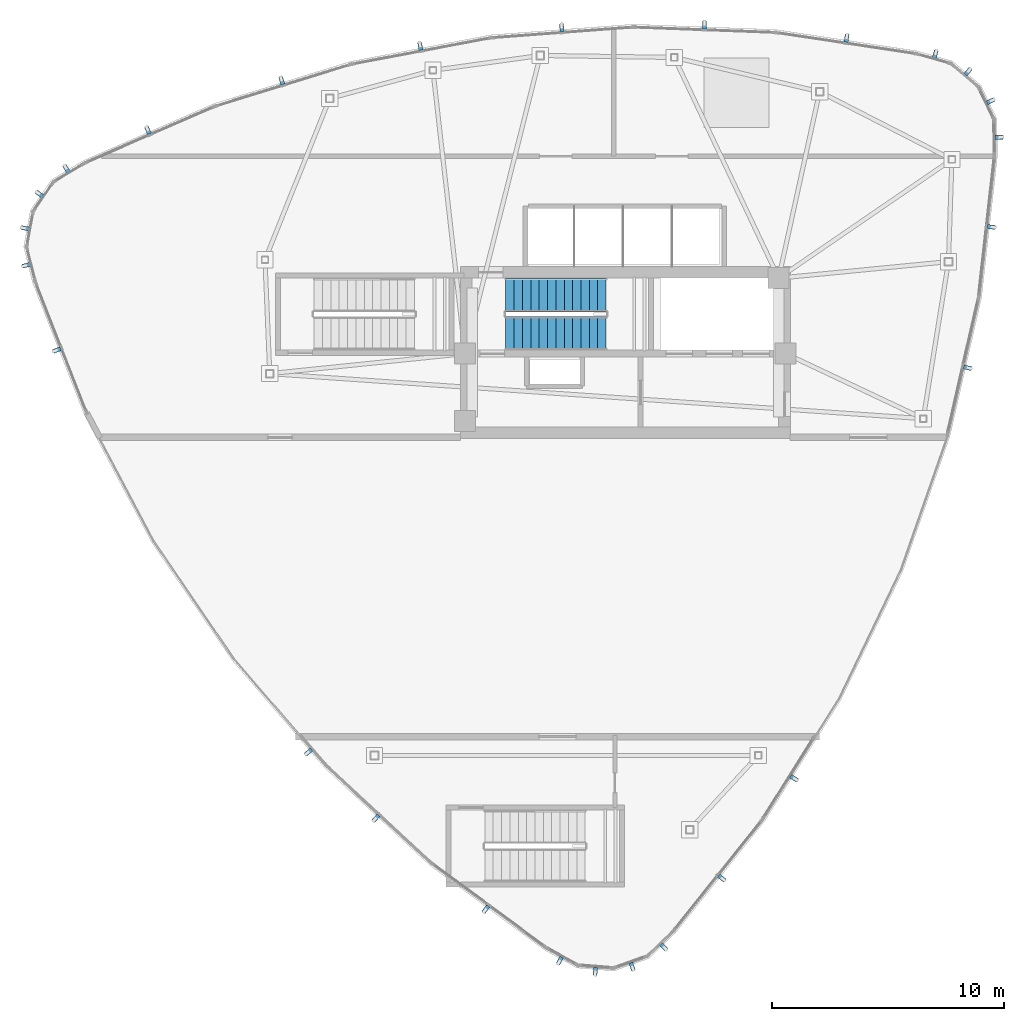
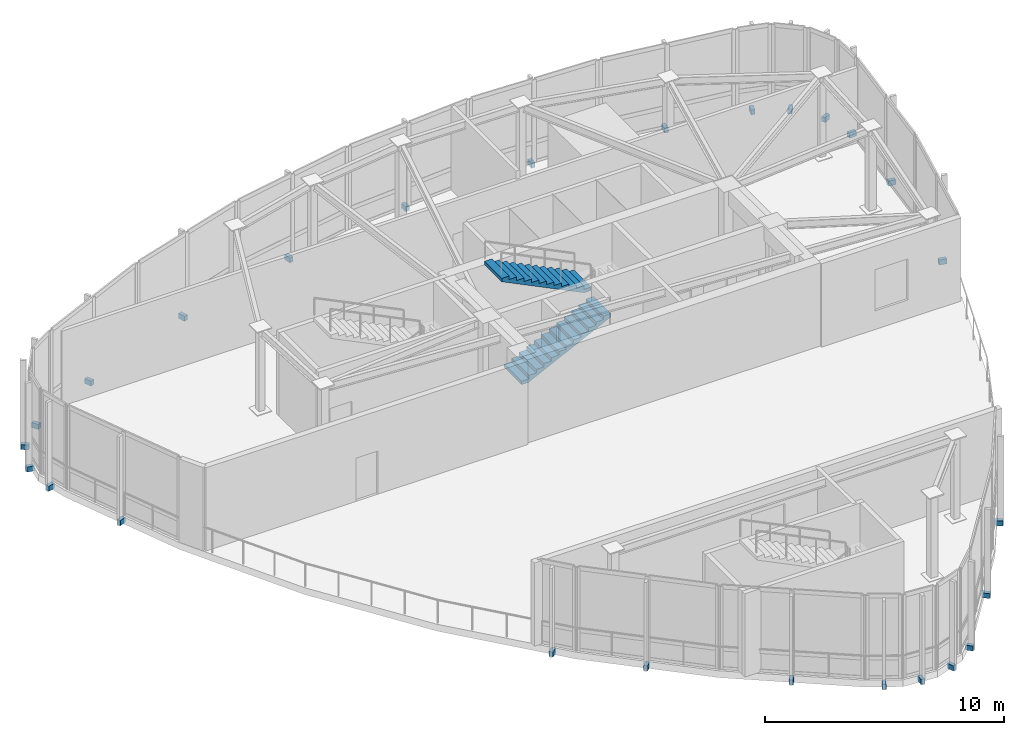
# One storey, part 12 of 16: 26 discrete accessories, 2 stair flights, 1 element without a shape of its own.
"""IFC4 building model written with IfcOpenShell, lengths in metres."""

from ifc_helpers import new_model, si_unit, direction, frame, origin, origin_2d, place, context, subcontext, project, spatial, polyline, rectangle, outline, extrude, source, transform, mapped, material, type_object, type_shapes, element, aggregate, save


model = new_model("IFC4")

# Units and contexts
model_context = context("Model", 3, precision=1e-05, world=origin(), true_north=direction((0.0, 1.0)))
body_context = subcontext(model_context, "Body", "Model", "MODEL_VIEW")
ifc_project = project(units=[si_unit("LENGTHUNIT", "METRE"), si_unit("AREAUNIT", "SQUARE_METRE"), si_unit("VOLUMEUNIT", "CUBIC_METRE"), si_unit("PLANEANGLEUNIT", "RADIAN"), si_unit("MASSUNIT", "GRAM", prefix="KILO")], contexts=[model_context])

# Site, building, storey
site_placement = place(None, origin())
site = spatial("IfcSite", under=ifc_project, at=site_placement, CompositionType="ELEMENT")
building_placement = place(site_placement, origin())
building = spatial("IfcBuilding", under=site, at=building_placement, Name="Tavelor Broadcast Tower", CompositionType="ELEMENT")
storey_placement = place(building_placement, frame((0.0, 0.0, 332.10009765625)))
storey = spatial("IfcBuildingStorey", under=building, at=storey_placement, Name="L79", CompositionType="ELEMENT", Elevation=332.10009765625)

# Stair, stair flights
ifc_material_1 = material(Name="Concrete C40/50", Category="concrete")
stair_type = type_object("IfcStairType", Name="Reinforced Concrete Protected Dogleg Stair 1450 mm", PredefinedType="HALF_TURN_STAIR", material=ifc_material_1)
stair_placement = place(storey_placement, origin())
stair = element("IfcStair", 1, at=stair_placement, inside=storey, type_object=stair_type, Name="L79 Protected Core Exit Stair ST1", PredefinedType="HALF_TURN_STAIR")
stair_flight_type = type_object("IfcStairFlightType", Name="Reinforced Concrete Stair Flight 1450 mm", PredefinedType="STRAIGHT", material=ifc_material_1)
stair_flight_1_placement = place(storey_placement, frame((44.85009765625, 48.824951171875, 0.0), z_axis=(0.0, 0.0, 1.0), x_axis=(1.0, 0.0, 0.0)))
stair_flight_1 = element("IfcStairFlight", 2, at=stair_flight_1_placement, type_object=stair_flight_type, Name="ST1 flight 1", NumberOfRisers=13, NumberOfTreads=12, PredefinedType="STRAIGHT", RiserHeight=0.176923077, TreadLength=0.36, context=body_context, shape_type="SweptSolid", body=[
    extrude(outline(polyline([(0.0, 0.0), (0.0, 0.177001953125), (0.360107421875, 0.177001953125), (0.360107421875, 0.353759765625), (0.719970703125, 0.353759765625), (0.719970703125, 0.53076171875), (1.080078125, 0.53076171875), (1.080078125, 0.707763671875), (1.43994140625, 0.707763671875), (1.43994140625, 0.884521484375), (1.800048828125, 0.884521484375), (1.800048828125, 1.0615234375), (2.159912109375, 1.0615234375), (2.159912109375, 1.238525390625), (2.52001953125, 1.238525390625), (2.52001953125, 1.415283203125), (2.8798828125, 1.415283203125), (2.8798828125, 1.59228515625), (3.239990234375, 1.59228515625), (3.239990234375, 1.769287109375), (3.60009765625, 1.769287109375), (3.60009765625, 1.946044921875), (3.9599609375, 1.946044921875), (3.9599609375, 2.123046875), (4.320068359375, 2.123046875), (4.320068359375, 2.300048828125), (4.320068359375, 1.9560546875), (0.33984375, 0.0), (0.0, 0.0)])), frame((0.0, 0.72509765625, 0.0), z_axis=(0.0, -1.0, 0.0), x_axis=(1.0, 0.0, 0.0)), (0.0, 0.0, 1.0), 1.449951171875),
])
stair_flight_2_placement = place(storey_placement, frame((49.169921875, 50.47509765625, 2.2998046875), z_axis=(0.0, 0.0, 1.0), x_axis=(-1.0, 0.0, 0.0)))
stair_flight_2 = element("IfcStairFlight", 3, at=stair_flight_2_placement, type_object=stair_flight_type, Name="ST1 flight 2", NumberOfRisers=13, NumberOfTreads=12, PredefinedType="STRAIGHT", RiserHeight=0.176923077, TreadLength=0.36, context=body_context, shape_type="SweptSolid", body=[
    extrude(outline(polyline([(0.0, 0.0), (0.0, 0.177001953125), (0.360107421875, 0.177001953125), (0.360107421875, 0.353759765625), (0.719970703125, 0.353759765625), (0.719970703125, 0.53076171875), (1.080078125, 0.53076171875), (1.080078125, 0.707763671875), (1.43994140625, 0.707763671875), (1.43994140625, 0.884521484375), (1.800048828125, 0.884521484375), (1.800048828125, 1.0615234375), (2.159912109375, 1.0615234375), (2.159912109375, 1.238525390625), (2.52001953125, 1.238525390625), (2.52001953125, 1.415283203125), (2.8798828125, 1.415283203125), (2.8798828125, 1.59228515625), (3.239990234375, 1.59228515625), (3.239990234375, 1.769287109375), (3.60009765625, 1.769287109375), (3.60009765625, 1.946044921875), (3.9599609375, 1.946044921875), (3.9599609375, 2.123046875), (4.320068359375, 2.123046875), (4.320068359375, 2.300048828125), (4.320068359375, 1.9560546875), (0.33984375, 0.0), (0.0, 0.0)])), frame((0.0, 0.72509765625, 0.0), z_axis=(0.0, -1.0, 0.0), x_axis=(1.0, 0.0, 0.0)), (0.0, 0.0, 1.0), 1.449951171875),
])
aggregate(stair, [stair_flight_1, stair_flight_2])

# Discrete accessories
ifc_material_2 = material(Name="Steel S355", Category="steel")
discrete_accessory_type = type_object("IfcDiscreteAccessoryType", Name="Stainless Baguette Outrigger Support Bracket 260x180", PredefinedType="BRACKET", material=ifc_material_2)
shared_shape = source(origin(), body_context, "Body", "SweptSolid", [
    extrude(rectangle(XDim=0.179931640625, YDim=0.340087890625, at=origin_2d()), origin(), (0.0, 0.0, 1.0), 0.251953125),
])
type_shapes(discrete_accessory_type, [shared_shape])
for number, where, z_axis, x_axis, name in (
    (4, (64.731689453125, 47.34228515625, -0.301025390625), (0.0, 0.0, 1.0), (0.222399391499, 0.974955645484, 0.0), "L79 Baguette Outrigger Bracket 745"),
    (5, (65.760498046875, 53.40087890625, -0.301025390625), (0.0, 0.0, 1.0), (0.111815815852, 0.99372894862, 0.0), "L79 Baguette Outrigger Bracket 746"),
    (6, (66.08984375, 57.26513671875, -0.301025390625), (0.0, 0.0, 1.0), (-0.018324931396, 0.999832084347, 0.0), "L79 Baguette Outrigger Bracket 747"),
    (7, (65.724853515625, 58.8212890625, -0.301025390625), (0.0, 0.0, 1.0), (-0.428146661421, 0.903709265369, 0.0), "L79 Baguette Outrigger Bracket 748"),
    (8, (64.751708984375, 60.089111328125, -0.301025390625), (0.0, 0.0, 1.0), (-0.762103608804, 0.647455086819, 0.0), "L79 Baguette Outrigger Bracket 749"),
    (9, (63.34326171875, 60.844482421875, -0.301025390625), (0.0, 0.0, 1.0), (-0.961020790978, 0.276476109834, 0.0), "L79 Baguette Outrigger Bracket 750"),
    (10, (59.525390625, 61.5263671875, -0.301025390625), (0.0, 0.0, 1.0), (-0.988808518489, 0.149190193254, 0.0), "L79 Baguette Outrigger Bracket 751"),
    (11, (53.406982421875, 62.100830078125, -0.301025390625), (0.0, 0.0, 1.0), (-0.999296035598, 0.037515773182, 0.0), "L79 Baguette Outrigger Bracket 752"),
    (12, (47.262939453125, 61.986328125, -0.301025390625), (0.0, 0.0, 1.0), (-0.997211245286, -0.074630638989, 0.0), "L79 Baguette Outrigger Bracket 753"),
    (13, (41.170166015625, 61.18408203125, -0.301025390625), (0.0, 0.0, 1.0), (-0.982547926806, -0.186009600639, 0.0), "L79 Baguette Outrigger Bracket 754"),
    (14, (35.20556640625, 59.70458984375, -0.301025390625), (0.0, 0.0, 1.0), (-0.955536052301, -0.294874299918, 0.0), "L79 Baguette Outrigger Bracket 755"),
    (15, (29.4443359375, 57.566162109375, -0.301025390625), (0.0, 0.0, 1.0), (-0.916502421907, -0.400029137237, 0.0), "L79 Baguette Outrigger Bracket 756"),
    (16, (25.93310546875, 55.919189453125, -0.301025390625), (0.0, 0.0, 1.0), (-0.856717518865, -0.515785898285, 0.0), "L79 Baguette Outrigger Bracket 757"),
    (17, (24.76806640625, 54.8251953125, -0.301025390625), (0.0, 0.0, 1.0), (-0.568561850734, -0.822640518021, 0.0), "L79 Baguette Outrigger Bracket 758"),
    (18, (24.156494140625, 53.3486328125, -0.301025390625), (0.0, 0.0, 1.0), (-0.179660748593, -0.98372862895, 0.0), "L79 Baguette Outrigger Bracket 759"),
    (19, (24.206787109375, 51.751220703125, -0.301025390625), (0.0, 0.0, 1.0), (0.241075060833, -0.970506473469, 0.0), "L79 Baguette Outrigger Bracket 760"),
    (20, (25.52490234375, 48.103759765625, -0.301025390625), (0.0, 0.0, 1.0), (0.365201761892, -0.930928393117, 0.0), "L79 Baguette Outrigger Bracket 761"),
    (21, (36.35888671875, 30.798583984375, -0.301025390625), (0.0, 0.0, 1.0), (0.652363002904, -0.75790666473, 0.0), "L79 Baguette Outrigger Bracket 762"),
    (22, (39.2626953125, 27.953125, -0.301025390625), (0.0, 0.0, 1.0), (0.733136660803, -0.680081345566, 0.0), "L79 Baguette Outrigger Bracket 763"),
    (23, (43.9951171875, 24.032958984375, -0.301025390625), (0.0, 0.0, 1.0), (0.804686606055, -0.593699811383, 0.0), "L79 Baguette Outrigger Bracket 764"),
    (24, (47.177001953125, 21.8154296875, -0.301025390625), (0.0, 0.0, 1.0), (0.875042450261, -0.484046186062, 0.0), "L79 Baguette Outrigger Bracket 765"),
    (25, (48.70703125, 21.353515625, -0.301025390625), (0.0, 0.0, 1.0), (0.996708512156, -0.081068747348, 0.0), "L79 Baguette Outrigger Bracket 766"),
    (26, (50.291748046875, 21.562255859375, -0.301025390625), (0.0, 0.0, 1.0), (0.941764357397, 0.33627354213, 0.0), "L79 Baguette Outrigger Bracket 767"),
    (27, (51.650146484375, 22.404541015625, -0.301025390625), (0.0, 0.0, 1.0), (0.719945730144, 0.694030363635, 0.0), "L79 Baguette Outrigger Bracket 768"),
    (28, (54.149658203125, 25.369873046875, -0.301025390625), (0.0, 0.0, 1.0), (0.623606756598, 0.781738199863, 0.0), "L79 Baguette Outrigger Bracket 769"),
    (29, (57.25830078125, 29.66845703125, -0.301025390625), (0.0, 0.0, 1.0), (0.532137630417, 0.846657866138, 0.0), "L79 Baguette Outrigger Bracket 770"),
):
    element("IfcDiscreteAccessory", number, at=place(storey_placement, frame(where, z_axis=z_axis, x_axis=x_axis)), inside=storey, type_object=discrete_accessory_type, Name=name, PredefinedType="BRACKET", context=body_context, shape_type="MappedRepresentation", body=[
        mapped(shared_shape, transform((0.0, 0.0, 0.0), scale=1.0)),
    ])

save(model, "model.ifc")
